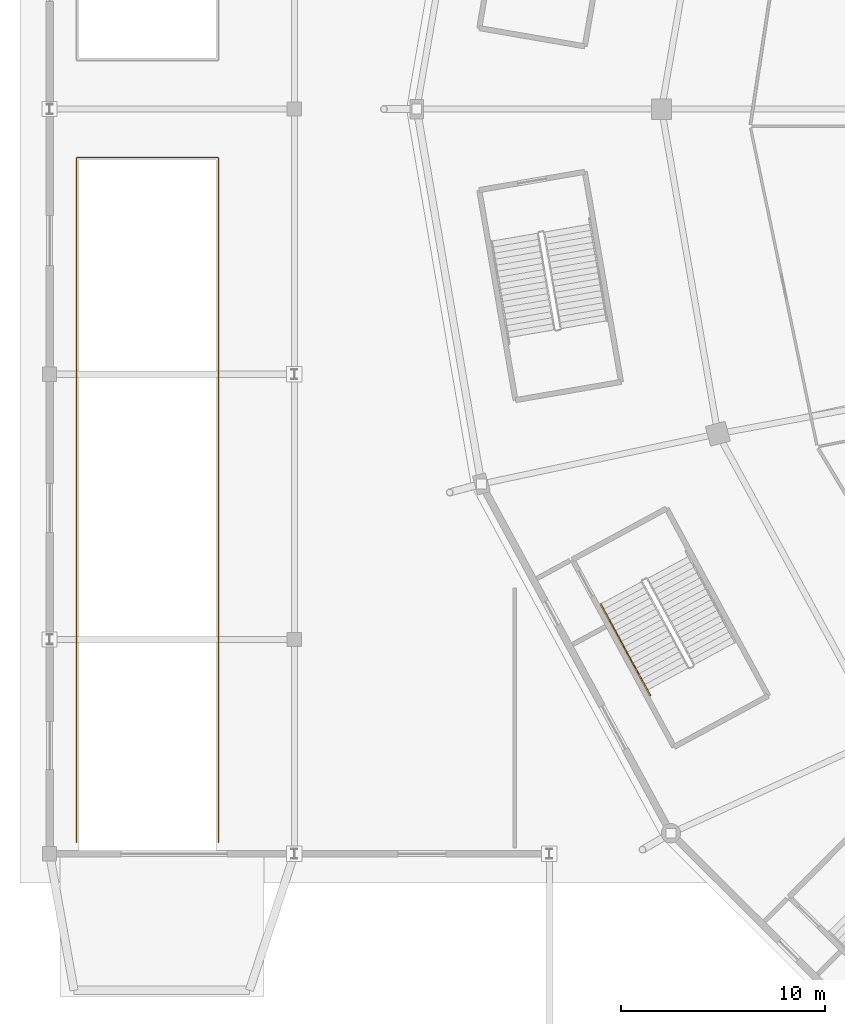
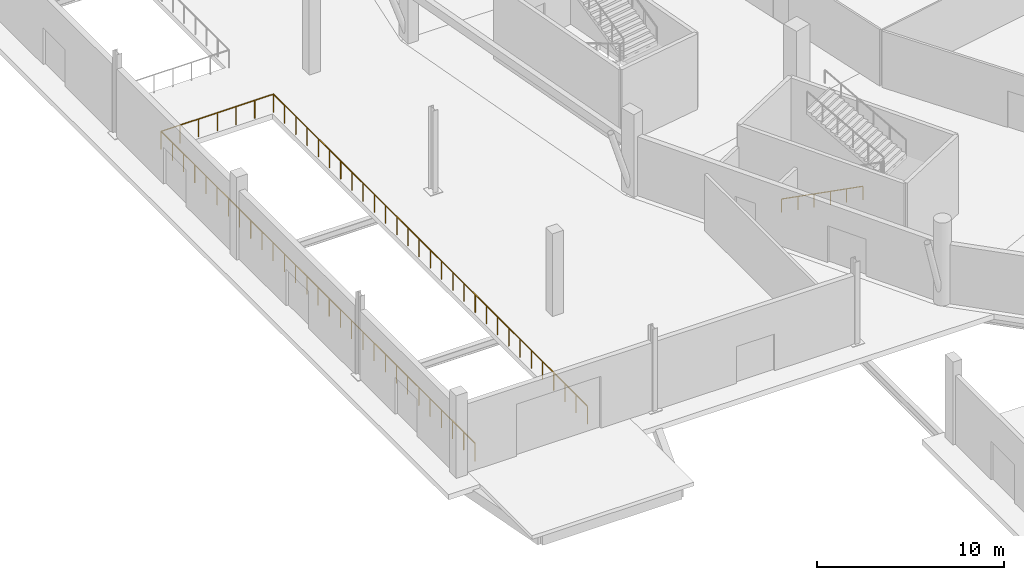
# One storey, part 59 of 82: 2 railings.
"""IFC4 building model written with IfcOpenShell, lengths in metres."""

from ifc_helpers import new_model, si_unit, direction, frame, origin, origin_2d, place, context, subcontext, project, spatial, rectangle, extrude, material, type_object, element, save


model = new_model("IFC4")

# Units and contexts
model_context = context("Model", 3, precision=1e-05, world=origin(), true_north=direction((0.0, 1.0)))
body_context = subcontext(model_context, "Body", "Model", "MODEL_VIEW")
ifc_project = project(units=[si_unit("LENGTHUNIT", "METRE"), si_unit("AREAUNIT", "SQUARE_METRE"), si_unit("VOLUMEUNIT", "CUBIC_METRE"), si_unit("PLANEANGLEUNIT", "RADIAN"), si_unit("MASSUNIT", "GRAM", prefix="KILO")], contexts=[model_context])

# Site, building, storey
site_placement = place(None, origin())
site = spatial("IfcSite", under=ifc_project, at=site_placement, CompositionType="ELEMENT")
building_placement = place(site_placement, origin())
building = spatial("IfcBuilding", under=site, at=building_placement, Name="Zlatoyarsky Gate Stadium", CompositionType="ELEMENT")
storey_placement = place(building_placement, origin())
storey = spatial("IfcBuildingStorey", under=building, at=storey_placement, Name="L00", CompositionType="ELEMENT", Elevation=0.0)

# Railings
ifc_material_1 = material(Name="Powder-coated steel tubular guardrail", Category="steel")
railing_type_1 = type_object("IfcRailingType", Name="CONCOURSE SLAB EDGE GUARDRAIL 1200", PredefinedType="GUARDRAIL", material=ifc_material_1)
railing_1_placement = place(storey_placement, frame((1.330078125, 44.050048828125, 0.0)))
element("IfcRailing", 1, at=railing_1_placement, inside=storey, type_object=railing_type_1, Name="L00 ramp portal perimeter guardrail VR-01", PredefinedType="GUARDRAIL", context=body_context, shape_type="SweptSolid", body=[
    extrude(rectangle(XDim=0.048095703125, YDim=0.048095703125, at=origin_2d()), frame((0.0, 0.0, 1.17578125), z_axis=(0.0, 1.0, 0.0), x_axis=(-1.0, 0.0, 0.0)), (0.0, 0.0, 1.0), 33.570068359375),
    extrude(rectangle(XDim=0.048095703125, YDim=0.048095703125, at=origin_2d()), frame((0.0, 33.570068359375, 1.17578125), z_axis=(1.0, 0.0, 0.0), x_axis=(0.0, 1.0, 0.0)), (0.0, 0.0, 1.0), 6.93994140625),
    extrude(rectangle(XDim=0.048095703125, YDim=0.048095703125, at=origin_2d()), frame((6.93994140625, 33.570068359375, 1.17578125), z_axis=(0.0, -1.0, 0.0), x_axis=(1.0, 0.0, 0.0)), (0.0, 0.0, 1.0), 33.570068359375),
    extrude(rectangle(XDim=0.0419921875, YDim=0.0419921875, at=origin_2d()), origin(), (0.0, 0.0, 1.0), 1.15185546875),
    extrude(rectangle(XDim=0.0419921875, YDim=0.0419921875, at=origin_2d()), frame((0.0, 1.198974609375, 0.0)), (0.0, 0.0, 1.0), 1.15185546875),
    extrude(rectangle(XDim=0.0419921875, YDim=0.0419921875, at=origin_2d()), frame((0.0, 2.39794921875, 0.0)), (0.0, 0.0, 1.0), 1.15185546875),
    extrude(rectangle(XDim=0.0419921875, YDim=0.0419921875, at=origin_2d()), frame((0.0, 3.5966796875, 0.0)), (0.0, 0.0, 1.0), 1.15185546875),
    extrude(rectangle(XDim=0.0419921875, YDim=0.0419921875, at=origin_2d()), frame((0.0, 4.795654296875, 0.0)), (0.0, 0.0, 1.0), 1.15185546875),
    extrude(rectangle(XDim=0.0419921875, YDim=0.0419921875, at=origin_2d()), frame((0.0, 5.99462890625, 0.0)), (0.0, 0.0, 1.0), 1.15185546875),
    extrude(rectangle(XDim=0.0419921875, YDim=0.0419921875, at=origin_2d()), frame((0.0, 7.193603515625, 0.0)), (0.0, 0.0, 1.0), 1.15185546875),
    extrude(rectangle(XDim=0.0419921875, YDim=0.0419921875, at=origin_2d()), frame((0.0, 8.392578125, 0.0)), (0.0, 0.0, 1.0), 1.15185546875),
    extrude(rectangle(XDim=0.0419921875, YDim=0.0419921875, at=origin_2d()), frame((0.0, 9.591552734375, 0.0)), (0.0, 0.0, 1.0), 1.15185546875),
    extrude(rectangle(XDim=0.0419921875, YDim=0.0419921875, at=origin_2d()), frame((0.0, 10.790283203125, 0.0)), (0.0, 0.0, 1.0), 1.15185546875),
    extrude(rectangle(XDim=0.0419921875, YDim=0.0419921875, at=origin_2d()), frame((0.0, 11.9892578125, 0.0)), (0.0, 0.0, 1.0), 1.15185546875),
    extrude(rectangle(XDim=0.0419921875, YDim=0.0419921875, at=origin_2d()), frame((0.0, 13.188232421875, 0.0)), (0.0, 0.0, 1.0), 1.15185546875),
    extrude(rectangle(XDim=0.0419921875, YDim=0.0419921875, at=origin_2d()), frame((0.0, 14.38720703125, 0.0)), (0.0, 0.0, 1.0), 1.15185546875),
    extrude(rectangle(XDim=0.0419921875, YDim=0.0419921875, at=origin_2d()), frame((0.0, 15.586181640625, 0.0)), (0.0, 0.0, 1.0), 1.15185546875),
    extrude(rectangle(XDim=0.0419921875, YDim=0.0419921875, at=origin_2d()), frame((0.0, 16.78515625, 0.0)), (0.0, 0.0, 1.0), 1.15185546875),
    extrude(rectangle(XDim=0.0419921875, YDim=0.0419921875, at=origin_2d()), frame((0.0, 17.98388671875, 0.0)), (0.0, 0.0, 1.0), 1.15185546875),
    extrude(rectangle(XDim=0.0419921875, YDim=0.0419921875, at=origin_2d()), frame((0.0, 19.182861328125, 0.0)), (0.0, 0.0, 1.0), 1.15185546875),
    extrude(rectangle(XDim=0.0419921875, YDim=0.0419921875, at=origin_2d()), frame((0.0, 20.3818359375, 0.0)), (0.0, 0.0, 1.0), 1.15185546875),
    extrude(rectangle(XDim=0.0419921875, YDim=0.0419921875, at=origin_2d()), frame((0.0, 21.580810546875, 0.0)), (0.0, 0.0, 1.0), 1.15185546875),
    extrude(rectangle(XDim=0.0419921875, YDim=0.0419921875, at=origin_2d()), frame((0.0, 22.77978515625, 0.0)), (0.0, 0.0, 1.0), 1.15185546875),
    extrude(rectangle(XDim=0.0419921875, YDim=0.0419921875, at=origin_2d()), frame((0.0, 23.978515625, 0.0)), (0.0, 0.0, 1.0), 1.15185546875),
    extrude(rectangle(XDim=0.0419921875, YDim=0.0419921875, at=origin_2d()), frame((0.0, 25.177490234375, 0.0)), (0.0, 0.0, 1.0), 1.15185546875),
    extrude(rectangle(XDim=0.0419921875, YDim=0.0419921875, at=origin_2d()), frame((0.0, 26.37646484375, 0.0)), (0.0, 0.0, 1.0), 1.15185546875),
    extrude(rectangle(XDim=0.0419921875, YDim=0.0419921875, at=origin_2d()), frame((0.0, 27.575439453125, 0.0)), (0.0, 0.0, 1.0), 1.15185546875),
    extrude(rectangle(XDim=0.0419921875, YDim=0.0419921875, at=origin_2d()), frame((0.0, 28.7744140625, 0.0)), (0.0, 0.0, 1.0), 1.15185546875),
    extrude(rectangle(XDim=0.0419921875, YDim=0.0419921875, at=origin_2d()), frame((0.0, 29.973388671875, 0.0)), (0.0, 0.0, 1.0), 1.15185546875),
    extrude(rectangle(XDim=0.0419921875, YDim=0.0419921875, at=origin_2d()), frame((0.0, 31.172119140625, 0.0)), (0.0, 0.0, 1.0), 1.15185546875),
    extrude(rectangle(XDim=0.0419921875, YDim=0.0419921875, at=origin_2d()), frame((0.0, 32.37109375, 0.0)), (0.0, 0.0, 1.0), 1.15185546875),
    extrude(rectangle(XDim=0.0419921875, YDim=0.0419921875, at=origin_2d()), frame((0.0, 33.570068359375, 0.0)), (0.0, 0.0, 1.0), 1.15185546875),
    extrude(rectangle(XDim=0.0419921875, YDim=0.0419921875, at=origin_2d()), frame((1.15673828125, 33.570068359375, 0.0)), (0.0, 0.0, 1.0), 1.15185546875),
    extrude(rectangle(XDim=0.0419921875, YDim=0.0419921875, at=origin_2d()), frame((2.313232421875, 33.570068359375, 0.0)), (0.0, 0.0, 1.0), 1.15185546875),
    extrude(rectangle(XDim=0.0419921875, YDim=0.0419921875, at=origin_2d()), frame((3.469970703125, 33.570068359375, 0.0)), (0.0, 0.0, 1.0), 1.15185546875),
    extrude(rectangle(XDim=0.0419921875, YDim=0.0419921875, at=origin_2d()), frame((4.626708984375, 33.570068359375, 0.0)), (0.0, 0.0, 1.0), 1.15185546875),
    extrude(rectangle(XDim=0.0419921875, YDim=0.0419921875, at=origin_2d()), frame((5.783203125, 33.570068359375, 0.0)), (0.0, 0.0, 1.0), 1.15185546875),
    extrude(rectangle(XDim=0.0419921875, YDim=0.0419921875, at=origin_2d()), frame((6.93994140625, 33.570068359375, 0.0)), (0.0, 0.0, 1.0), 1.15185546875),
    extrude(rectangle(XDim=0.0419921875, YDim=0.0419921875, at=origin_2d()), frame((6.93994140625, 32.37109375, 0.0)), (0.0, 0.0, 1.0), 1.15185546875),
    extrude(rectangle(XDim=0.0419921875, YDim=0.0419921875, at=origin_2d()), frame((6.93994140625, 31.172119140625, 0.0)), (0.0, 0.0, 1.0), 1.15185546875),
    extrude(rectangle(XDim=0.0419921875, YDim=0.0419921875, at=origin_2d()), frame((6.93994140625, 29.973388671875, 0.0)), (0.0, 0.0, 1.0), 1.15185546875),
    extrude(rectangle(XDim=0.0419921875, YDim=0.0419921875, at=origin_2d()), frame((6.93994140625, 28.7744140625, 0.0)), (0.0, 0.0, 1.0), 1.15185546875),
    extrude(rectangle(XDim=0.0419921875, YDim=0.0419921875, at=origin_2d()), frame((6.93994140625, 27.575439453125, 0.0)), (0.0, 0.0, 1.0), 1.15185546875),
    extrude(rectangle(XDim=0.0419921875, YDim=0.0419921875, at=origin_2d()), frame((6.93994140625, 26.37646484375, 0.0)), (0.0, 0.0, 1.0), 1.15185546875),
    extrude(rectangle(XDim=0.0419921875, YDim=0.0419921875, at=origin_2d()), frame((6.93994140625, 25.177490234375, 0.0)), (0.0, 0.0, 1.0), 1.15185546875),
    extrude(rectangle(XDim=0.0419921875, YDim=0.0419921875, at=origin_2d()), frame((6.93994140625, 23.978515625, 0.0)), (0.0, 0.0, 1.0), 1.15185546875),
    extrude(rectangle(XDim=0.0419921875, YDim=0.0419921875, at=origin_2d()), frame((6.93994140625, 22.77978515625, 0.0)), (0.0, 0.0, 1.0), 1.15185546875),
    extrude(rectangle(XDim=0.0419921875, YDim=0.0419921875, at=origin_2d()), frame((6.93994140625, 21.580810546875, 0.0)), (0.0, 0.0, 1.0), 1.15185546875),
    extrude(rectangle(XDim=0.0419921875, YDim=0.0419921875, at=origin_2d()), frame((6.93994140625, 20.3818359375, 0.0)), (0.0, 0.0, 1.0), 1.15185546875),
    extrude(rectangle(XDim=0.0419921875, YDim=0.0419921875, at=origin_2d()), frame((6.93994140625, 19.182861328125, 0.0)), (0.0, 0.0, 1.0), 1.15185546875),
    extrude(rectangle(XDim=0.0419921875, YDim=0.0419921875, at=origin_2d()), frame((6.93994140625, 17.98388671875, 0.0)), (0.0, 0.0, 1.0), 1.15185546875),
    extrude(rectangle(XDim=0.0419921875, YDim=0.0419921875, at=origin_2d()), frame((6.93994140625, 16.78515625, 0.0)), (0.0, 0.0, 1.0), 1.15185546875),
    extrude(rectangle(XDim=0.0419921875, YDim=0.0419921875, at=origin_2d()), frame((6.93994140625, 15.586181640625, 0.0)), (0.0, 0.0, 1.0), 1.15185546875),
    extrude(rectangle(XDim=0.0419921875, YDim=0.0419921875, at=origin_2d()), frame((6.93994140625, 14.38720703125, 0.0)), (0.0, 0.0, 1.0), 1.15185546875),
    extrude(rectangle(XDim=0.0419921875, YDim=0.0419921875, at=origin_2d()), frame((6.93994140625, 13.188232421875, 0.0)), (0.0, 0.0, 1.0), 1.15185546875),
    extrude(rectangle(XDim=0.0419921875, YDim=0.0419921875, at=origin_2d()), frame((6.93994140625, 11.9892578125, 0.0)), (0.0, 0.0, 1.0), 1.15185546875),
    extrude(rectangle(XDim=0.0419921875, YDim=0.0419921875, at=origin_2d()), frame((6.93994140625, 10.790283203125, 0.0)), (0.0, 0.0, 1.0), 1.15185546875),
    extrude(rectangle(XDim=0.0419921875, YDim=0.0419921875, at=origin_2d()), frame((6.93994140625, 9.591552734375, 0.0)), (0.0, 0.0, 1.0), 1.15185546875),
    extrude(rectangle(XDim=0.0419921875, YDim=0.0419921875, at=origin_2d()), frame((6.93994140625, 8.392578125, 0.0)), (0.0, 0.0, 1.0), 1.15185546875),
    extrude(rectangle(XDim=0.0419921875, YDim=0.0419921875, at=origin_2d()), frame((6.93994140625, 7.193603515625, 0.0)), (0.0, 0.0, 1.0), 1.15185546875),
    extrude(rectangle(XDim=0.0419921875, YDim=0.0419921875, at=origin_2d()), frame((6.93994140625, 5.99462890625, 0.0)), (0.0, 0.0, 1.0), 1.15185546875),
    extrude(rectangle(XDim=0.0419921875, YDim=0.0419921875, at=origin_2d()), frame((6.93994140625, 4.795654296875, 0.0)), (0.0, 0.0, 1.0), 1.15185546875),
    extrude(rectangle(XDim=0.0419921875, YDim=0.0419921875, at=origin_2d()), frame((6.93994140625, 3.5966796875, 0.0)), (0.0, 0.0, 1.0), 1.15185546875),
    extrude(rectangle(XDim=0.0419921875, YDim=0.0419921875, at=origin_2d()), frame((6.93994140625, 2.39794921875, 0.0)), (0.0, 0.0, 1.0), 1.15185546875),
    extrude(rectangle(XDim=0.0419921875, YDim=0.0419921875, at=origin_2d()), frame((6.93994140625, 1.198974609375, 0.0)), (0.0, 0.0, 1.0), 1.15185546875),
    extrude(rectangle(XDim=0.0419921875, YDim=0.0419921875, at=origin_2d()), frame((6.93994140625, 0.0, 0.0)), (0.0, 0.0, 1.0), 1.15185546875),
])
ifc_material_2 = material(Name="Brushed stainless steel 316 handrail", Category="steel")
railing_type_2 = type_object("IfcRailingType", Name="STAINLESS STEEL TUBULAR HANDRAIL 900", PredefinedType="HANDRAIL", material=ifc_material_2)
railing_2_placement = place(storey_placement, frame((27.013427734375, 55.736572265625, 0.162841796875)))
element("IfcRailing", 2, at=railing_2_placement, inside=storey, type_object=railing_type_2, Name="ST-15 L00 stair handrail 1", PredefinedType="HANDRAIL", context=body_context, shape_type="SweptSolid", body=[
    extrude(rectangle(XDim=0.048095703125, YDim=0.048095703125, at=origin_2d()), frame((0.0, 0.0, 0.8759765625), z_axis=(0.421472414376, -0.776817406179, 0.467884303411), x_axis=(0.878961798155, 0.476892186331, 0.0)), (0.0, 0.0, 1.0), 5.7705078125),
    extrude(rectangle(XDim=0.0419921875, YDim=0.0419921875, at=origin_2d()), origin(), (0.0, 0.0, 1.0), 0.851806640625),
    extrude(rectangle(XDim=0.0419921875, YDim=0.0419921875, at=origin_2d()), frame((0.486328125, -0.896484375, 0.5400390625)), (0.0, 0.0, 1.0), 0.851806640625),
    extrude(rectangle(XDim=0.0419921875, YDim=0.0419921875, at=origin_2d()), frame((0.972900390625, -1.79296875, 1.080078125)), (0.0, 0.0, 1.0), 0.851806640625),
    extrude(rectangle(XDim=0.0419921875, YDim=0.0419921875, at=origin_2d()), frame((1.459228515625, -2.689697265625, 1.619873046875)), (0.0, 0.0, 1.0), 0.851806640625),
    extrude(rectangle(XDim=0.0419921875, YDim=0.0419921875, at=origin_2d()), frame((1.94580078125, -3.586181640625, 2.159912109375)), (0.0, 0.0, 1.0), 0.851806640625),
    extrude(rectangle(XDim=0.0419921875, YDim=0.0419921875, at=origin_2d()), frame((2.43212890625, -4.482666015625, 2.699951171875)), (0.0, 0.0, 1.0), 0.851806640625),
])

save(model, "model.ifc")
